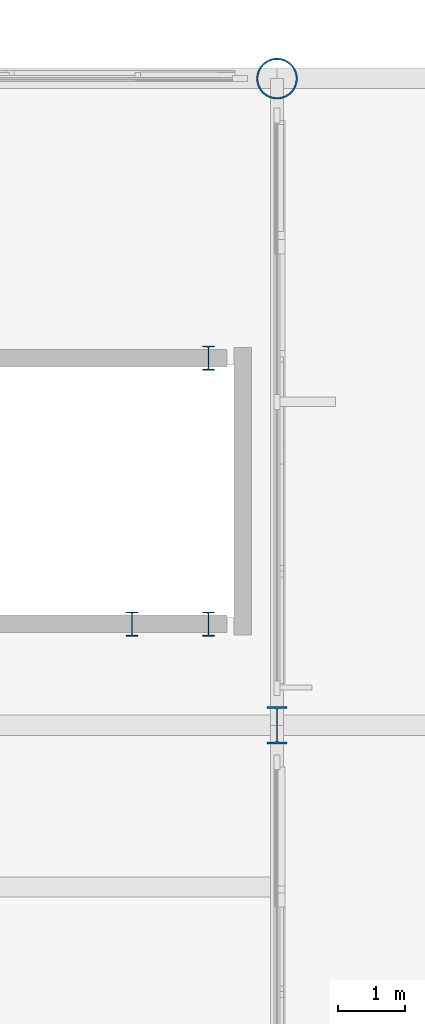
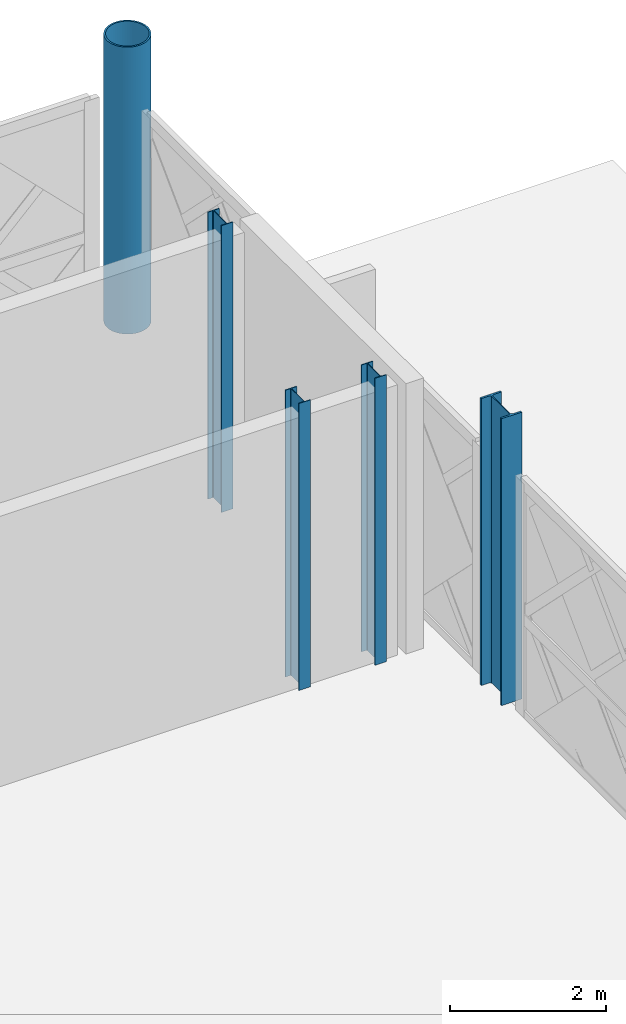
# One storey, part 22 of 101: 5 columns.
"""IFC4 building model written with IfcOpenShell, lengths in metres."""

from ifc_helpers import new_model, si_unit, direction, frame, origin, origin_2d, place, context, subcontext, project, spatial, hollow_circle, i_section, extrude, material, material_profile, profile_set, type_object, element, save


model = new_model("IFC4")

# Units and contexts
model_context = context("Model", 3, precision=1e-05, world=origin(), true_north=direction((0.0, 1.0)))
body_context = subcontext(model_context, "Body", "Model", "MODEL_VIEW")
ifc_project = project(units=[si_unit("LENGTHUNIT", "METRE"), si_unit("AREAUNIT", "SQUARE_METRE"), si_unit("VOLUMEUNIT", "CUBIC_METRE"), si_unit("PLANEANGLEUNIT", "RADIAN"), si_unit("MASSUNIT", "GRAM", prefix="KILO")], contexts=[model_context])

# Site, building, storey
site_placement = place(None, origin())
site = spatial("IfcSite", under=ifc_project, at=site_placement, CompositionType="ELEMENT")
building_placement = place(site_placement, origin())
building = spatial("IfcBuilding", under=site, at=building_placement, Name="Zevrakil Square Congress Hotel", CompositionType="ELEMENT")
storey_placement = place(building_placement, frame((0.0, 0.0, 5.39990234375)))
storey = spatial("IfcBuildingStorey", under=building, at=storey_placement, Name="L02", CompositionType="ELEMENT", Elevation=5.39990234375)

# Columns
ifc_material_1 = material(Name="Steel S355", Category="steel")
ifc_material_profile_1 = material_profile(ifc_material_1, hollow_circle(Radius=0.304931640625, WallThickness=0.02490234375, at=origin_2d()), Name="CHS 610x25")
ifc_profile_set_1 = profile_set([ifc_material_profile_1], Name="Steel S355")
column_type_1 = type_object("IfcColumnType", Name="COL-CHS610", PredefinedType="COLUMN", material=ifc_profile_set_1)
column_1_placement = place(storey_placement, frame((165.60009765625, 112.800048828125, 0.0), z_axis=(0.0, 0.0, 1.0), x_axis=(1.0, 0.0, 0.0)))
element("IfcColumn", 1, at=column_1_placement, inside=storey, type_object=column_type_1, Name="L02 column C-240", PredefinedType="COLUMN", context=body_context, shape_type="SweptSolid", body=[
    extrude(hollow_circle(Radius=0.304931640625, WallThickness=0.02490234375, at=origin_2d()), origin(), (0.0, 0.0, 1.0), 4.5),
])
ifc_material_2 = material(Name="Steel S355", Category="steel")
ifc_material_profile_2 = material_profile(ifc_material_2, i_section(OverallWidth=0.300048828125, OverallDepth=0.550048828125, WebThickness=0.014892578125, FlangeThickness=0.029052734375, FilletRadius=0.027099609375, at=origin_2d()), Name="HEB 550")
ifc_profile_set_2 = profile_set([ifc_material_profile_2], Name="Steel S355")
column_type_2 = type_object("IfcColumnType", Name="COL-HEB550", PredefinedType="COLUMN", material=ifc_profile_set_2)
column_2_placement = place(storey_placement, frame((165.60009765625, 103.199951171875, 0.0), z_axis=(0.0, 0.0, 1.0), x_axis=(1.0, 0.0, 0.0)))
element("IfcColumn", 2, at=column_2_placement, inside=storey, type_object=column_type_2, Name="L02 column C-239", PredefinedType="COLUMN", context=body_context, shape_type="SweptSolid", body=[
    extrude(i_section(OverallWidth=0.300048828125, OverallDepth=0.550048828125, WebThickness=0.014892578125, FlangeThickness=0.029052734375, FilletRadius=0.027099609375, at=origin_2d()), origin(), (0.0, 0.0, 1.0), 4.5),
])
ifc_material_3 = material(Name="Steel S355", Category="steel")
ifc_material_profile_3 = material_profile(ifc_material_3, i_section(OverallWidth=0.169921875, OverallDepth=0.360107421875, WebThickness=0.008056640625, FlangeThickness=0.0126953125, FilletRadius=0.01806640625, at=origin_2d()), Name="IPE 360")
ifc_profile_set_3 = profile_set([ifc_material_profile_3], Name="Steel S355")
column_type_3 = type_object("IfcColumnType", Name="COL-PILASTER-SHS180", PredefinedType="PILASTER", material=ifc_profile_set_3)
for number, where, z_axis, x_axis, name in (
    (3, (163.449951171875, 104.699951171875, 0.0), (0.0, 0.0, 1.0), (1.0, 0.0, 0.0), "L02 ST10 stair shaft post 1"),
    (4, (164.580078125, 104.699951171875, 0.0), (0.0, 0.0, 1.0), (1.0, 0.0, 0.0), "L02 ST10 stair shaft post 2"),
    (5, (164.580078125, 108.64990234375, 0.0), (0.0, 0.0, 1.0), (1.0, 0.0, 0.0), "L02 ST10 stair shaft post 3"),
):
    element("IfcColumn", number, at=place(storey_placement, frame(where, z_axis=z_axis, x_axis=x_axis)), inside=storey, type_object=column_type_3, Name=name, PredefinedType="PILASTER", context=body_context, shape_type="SweptSolid", body=[
        extrude(i_section(OverallWidth=0.169921875, OverallDepth=0.360107421875, WebThickness=0.008056640625, FlangeThickness=0.0126953125, FilletRadius=0.01806640625, at=origin_2d()), origin(), (0.0, 0.0, 1.0), 4.5),
    ])

save(model, "model.ifc")
